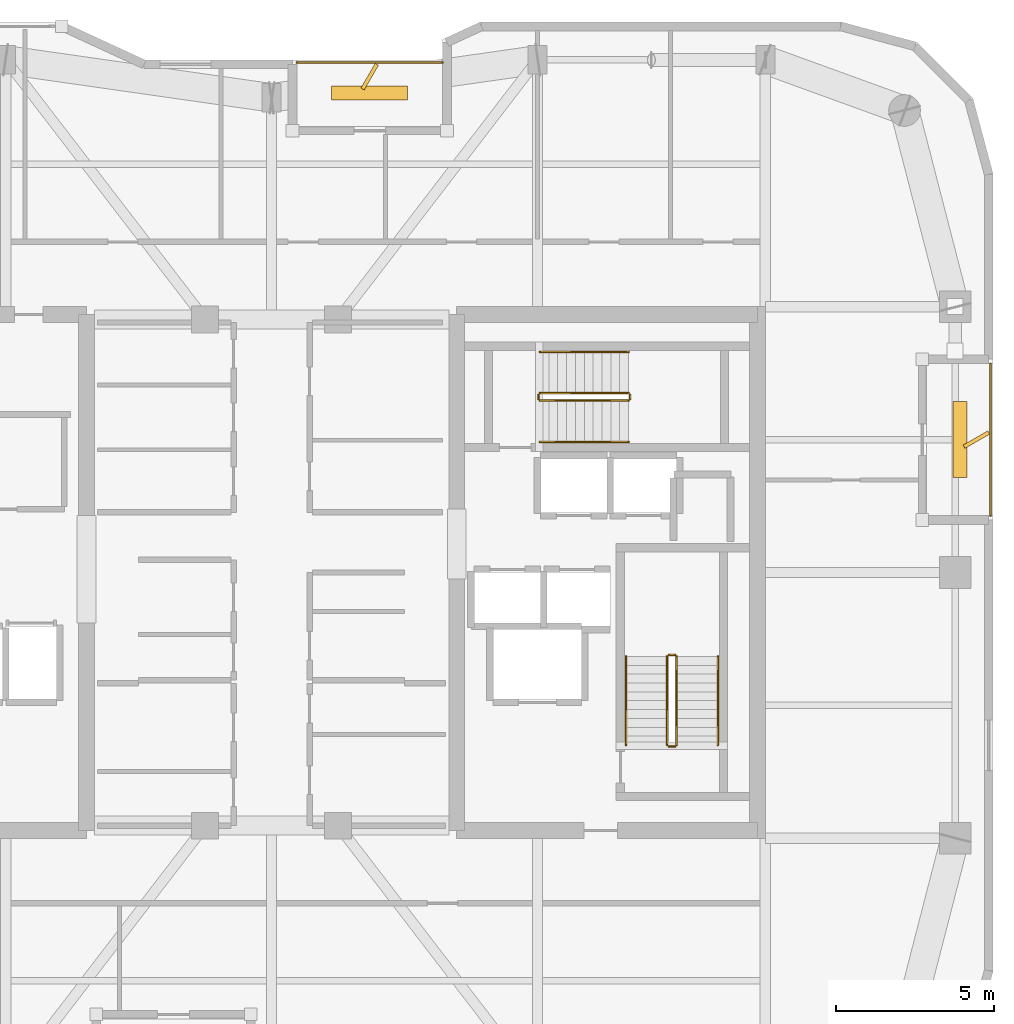
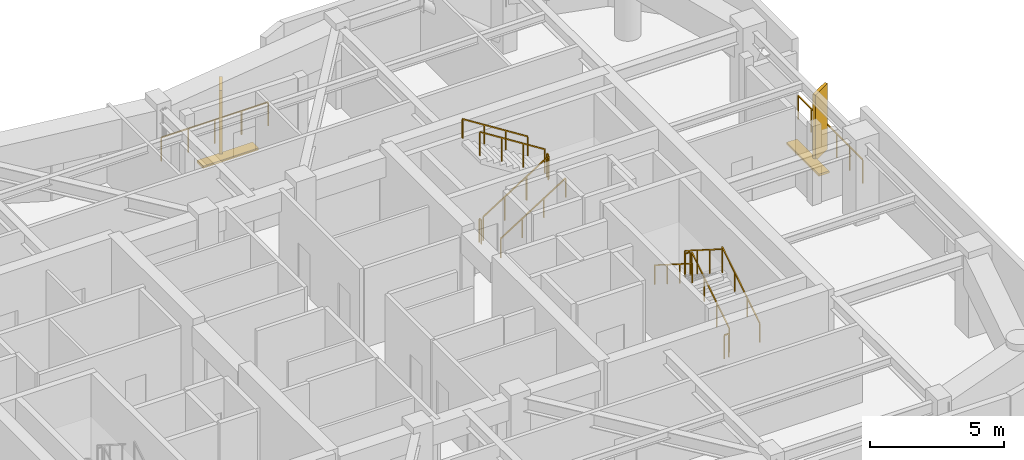
# One storey, part 15 of 15: 14 railings, 4 shading devices.
"""IFC4 building model written with IfcOpenShell, lengths in metres."""

from ifc_helpers import new_model, si_unit, direction, frame, origin, origin_2d, place, context, subcontext, project, spatial, rectangle, extrude, material, type_object, element, save


model = new_model("IFC4")

# Units and contexts
model_context = context("Model", 3, precision=1e-05, world=origin(), true_north=direction((0.0, 1.0)))
body_context = subcontext(model_context, "Body", "Model", "MODEL_VIEW")
ifc_project = project(units=[si_unit("LENGTHUNIT", "METRE"), si_unit("AREAUNIT", "SQUARE_METRE"), si_unit("VOLUMEUNIT", "CUBIC_METRE"), si_unit("PLANEANGLEUNIT", "RADIAN"), si_unit("MASSUNIT", "GRAM", prefix="KILO")], contexts=[model_context])

# Site, building, storey
site_placement = place(None, origin())
site = spatial("IfcSite", under=ifc_project, at=site_placement, CompositionType="ELEMENT")
building_placement = place(site_placement, origin())
building = spatial("IfcBuilding", under=site, at=building_placement, Name="Kiyonajd Concourse Tower", CompositionType="ELEMENT")
storey_placement = place(building_placement, frame((0.0, 0.0, 278.39990234375)))
storey = spatial("IfcBuildingStorey", under=building, at=storey_placement, Name="L70", CompositionType="ELEMENT", Elevation=278.39990234375)

# Railings
ifc_material_1 = material(Name="Thermally Broken Anodised Aluminium", Category="aluminium")
railing_type_1 = type_object("IfcRailingType", Name="RL-GRD-LOG", PredefinedType="GUARDRAIL", material=ifc_material_1)
railing_1_placement = place(storey_placement, frame((53.39990234375, 52.1201171875, 0.0)))
element("IfcRailing", 1, at=railing_1_placement, inside=storey, type_object=railing_type_1, Name="L70 Engawa Loggia Perimeter Guard LOG-N", PredefinedType="GUARDRAIL", context=body_context, shape_type="SweptSolid", body=[
    extrude(rectangle(XDim=0.048095703125, YDim=0.048095703125, at=origin_2d()), frame((0.0, 0.0, 1.076171875), z_axis=(-1.0, 0.0, 0.0), x_axis=(0.0, -1.0, 0.0)), (0.0, 0.0, 1.0), 4.599853515625),
    extrude(rectangle(XDim=0.0419921875, YDim=0.0419921875, at=origin_2d()), origin(), (0.0, 0.0, 1.0), 1.052001953125),
    extrude(rectangle(XDim=0.0419921875, YDim=0.0419921875, at=origin_2d()), frame((-1.14990234375, 0.0, 0.0)), (0.0, 0.0, 1.0), 1.052001953125),
    extrude(rectangle(XDim=0.0419921875, YDim=0.0419921875, at=origin_2d()), frame((-2.2998046875, 0.0, 0.0)), (0.0, 0.0, 1.0), 1.052001953125),
    extrude(rectangle(XDim=0.0419921875, YDim=0.0419921875, at=origin_2d()), frame((-3.449951171875, 0.0, 0.0)), (0.0, 0.0, 1.0), 1.052001953125),
    extrude(rectangle(XDim=0.0419921875, YDim=0.0419921875, at=origin_2d()), frame((-4.599853515625, 0.0, 0.0)), (0.0, 0.0, 1.0), 1.052001953125),
])
railing_2_placement = place(storey_placement, frame((70.719970703125, 37.800048828125, 0.0)))
element("IfcRailing", 2, at=railing_2_placement, inside=storey, type_object=railing_type_1, Name="L70 Engawa Loggia Perimeter Guard LOG-E", PredefinedType="GUARDRAIL", context=body_context, shape_type="SweptSolid", body=[
    extrude(rectangle(XDim=0.048095703125, YDim=0.048095703125, at=origin_2d()), frame((0.0, 0.0, 1.076171875), z_axis=(0.0, 1.0, 0.0), x_axis=(-1.0, 0.0, 0.0)), (0.0, 0.0, 1.0), 4.800048828125),
    extrude(rectangle(XDim=0.0419921875, YDim=0.0419921875, at=origin_2d()), origin(), (0.0, 0.0, 1.0), 1.052001953125),
    extrude(rectangle(XDim=0.0419921875, YDim=0.0419921875, at=origin_2d()), frame((0.0, 0.9599609375, 0.0)), (0.0, 0.0, 1.0), 1.052001953125),
    extrude(rectangle(XDim=0.0419921875, YDim=0.0419921875, at=origin_2d()), frame((0.0, 1.919921875, 0.0)), (0.0, 0.0, 1.0), 1.052001953125),
    extrude(rectangle(XDim=0.0419921875, YDim=0.0419921875, at=origin_2d()), frame((0.0, 2.880126953125, 0.0)), (0.0, 0.0, 1.0), 1.052001953125),
    extrude(rectangle(XDim=0.0419921875, YDim=0.0419921875, at=origin_2d()), frame((0.0, 3.840087890625, 0.0)), (0.0, 0.0, 1.0), 1.052001953125),
    extrude(rectangle(XDim=0.0419921875, YDim=0.0419921875, at=origin_2d()), frame((0.0, 4.800048828125, 0.0)), (0.0, 0.0, 1.0), 1.052001953125),
])
ifc_material_2 = material(Name="Steel ASTM A500 Grade C", Category="steel")
railing_type_2 = type_object("IfcRailingType", Name="RL-GRD-STR", PredefinedType="GUARDRAIL", material=ifc_material_2)
railing_3_placement = place(storey_placement, frame((60.800048828125, 30.550048828125, 0.177490234375)))
element("IfcRailing", 3, at=railing_3_placement, inside=storey, type_object=railing_type_2, Name="L70 ST2 stair guard 1", PredefinedType="GUARDRAIL", context=body_context, shape_type="SweptSolid", body=[
    extrude(rectangle(XDim=0.048095703125, YDim=0.048095703125, at=origin_2d()), frame((0.0, 0.0, 1.076171875), z_axis=(0.0, 0.844908973607, 0.534910110503), x_axis=(-1.0, 0.0, 0.0)), (0.0, 0.0, 1.0), 3.31396484375),
    extrude(rectangle(XDim=0.0419921875, YDim=0.0419921875, at=origin_2d()), origin(), (0.0, 0.0, 1.0), 1.052001953125),
    extrude(rectangle(XDim=0.0419921875, YDim=0.0419921875, at=origin_2d()), frame((0.0, 0.933349609375, 0.5908203125)), (0.0, 0.0, 1.0), 1.052001953125),
    extrude(rectangle(XDim=0.0419921875, YDim=0.0419921875, at=origin_2d()), frame((0.0, 1.86669921875, 1.181884765625)), (0.0, 0.0, 1.0), 1.052001953125),
    extrude(rectangle(XDim=0.0419921875, YDim=0.0419921875, at=origin_2d()), frame((0.0, 2.800048828125, 1.772705078125)), (0.0, 0.0, 1.0), 1.052001953125),
])
railing_4_placement = place(storey_placement, frame((60.75, 33.39990234375, 1.9501953125)))
element("IfcRailing", 4, at=railing_4_placement, inside=storey, type_object=railing_type_2, Name="L70 ST2 stair guard 2", PredefinedType="GUARDRAIL", context=body_context, shape_type="SweptSolid", body=[
    extrude(rectangle(XDim=0.048095703125, YDim=0.048095703125, at=origin_2d()), frame((0.0, 0.0, 1.076171875), z_axis=(-1.0, 0.0, 0.0), x_axis=(0.0, -1.0, 0.0)), (0.0, 0.0, 1.0), 0.199951171875),
    extrude(rectangle(XDim=0.0419921875, YDim=0.0419921875, at=origin_2d()), origin(), (0.0, 0.0, 1.0), 1.052001953125),
    extrude(rectangle(XDim=0.0419921875, YDim=0.0419921875, at=origin_2d()), frame((-0.199951171875, 0.0, 0.0)), (0.0, 0.0, 1.0), 1.052001953125),
])
railing_5_placement = place(storey_placement, frame((60.5, 33.35009765625, 2.12744140625)))
element("IfcRailing", 5, at=railing_5_placement, inside=storey, type_object=railing_type_2, Name="L70 ST2 stair guard 3", PredefinedType="GUARDRAIL", context=body_context, shape_type="SweptSolid", body=[
    extrude(rectangle(XDim=0.048095703125, YDim=0.048095703125, at=origin_2d()), frame((0.0, 0.0, 1.076171875), z_axis=(0.0, -0.844908973607, 0.534910110503), x_axis=(1.0, 0.0, 0.0)), (0.0, 0.0, 1.0), 3.31396484375),
    extrude(rectangle(XDim=0.0419921875, YDim=0.0419921875, at=origin_2d()), origin(), (0.0, 0.0, 1.0), 1.052001953125),
    extrude(rectangle(XDim=0.0419921875, YDim=0.0419921875, at=origin_2d()), frame((0.0, -0.933349609375, 0.5908203125)), (0.0, 0.0, 1.0), 1.052001953125),
    extrude(rectangle(XDim=0.0419921875, YDim=0.0419921875, at=origin_2d()), frame((0.0, -1.86669921875, 1.181884765625)), (0.0, 0.0, 1.0), 1.052001953125),
    extrude(rectangle(XDim=0.0419921875, YDim=0.0419921875, at=origin_2d()), frame((0.0, -2.800048828125, 1.772705078125)), (0.0, 0.0, 1.0), 1.052001953125),
])
railing_6_placement = place(storey_placement, frame((60.75, 30.5, 0.0)))
element("IfcRailing", 6, at=railing_6_placement, inside=storey, type_object=railing_type_2, Name="L70 ST2 stair guard 4", PredefinedType="GUARDRAIL", context=body_context, shape_type="SweptSolid", body=[
    extrude(rectangle(XDim=0.048095703125, YDim=0.048095703125, at=origin_2d()), frame((0.0, 0.0, 1.076171875), z_axis=(-1.0, 0.0, 0.0), x_axis=(0.0, -1.0, 0.0)), (0.0, 0.0, 1.0), 0.199951171875),
    extrude(rectangle(XDim=0.0419921875, YDim=0.0419921875, at=origin_2d()), origin(), (0.0, 0.0, 1.0), 1.052001953125),
    extrude(rectangle(XDim=0.0419921875, YDim=0.0419921875, at=origin_2d()), frame((-0.199951171875, 0.0, 0.0)), (0.0, 0.0, 1.0), 1.052001953125),
])
railing_7_placement = place(storey_placement, frame((56.47998046875, 41.429931640625, 0.177490234375)))
element("IfcRailing", 7, at=railing_7_placement, inside=storey, type_object=railing_type_2, Name="L70 ST3 stair guard 1", PredefinedType="GUARDRAIL", context=body_context, shape_type="SweptSolid", body=[
    extrude(rectangle(XDim=0.048095703125, YDim=0.048095703125, at=origin_2d()), frame((0.0, 0.0, 1.076171875), z_axis=(0.844908973607, 0.0, 0.534910110503), x_axis=(0.0, 1.0, 0.0)), (0.0, 0.0, 1.0), 3.31396484375),
    extrude(rectangle(XDim=0.0419921875, YDim=0.0419921875, at=origin_2d()), origin(), (0.0, 0.0, 1.0), 1.052001953125),
    extrude(rectangle(XDim=0.0419921875, YDim=0.0419921875, at=origin_2d()), frame((0.933349609375, 0.0, 0.5908203125)), (0.0, 0.0, 1.0), 1.052001953125),
    extrude(rectangle(XDim=0.0419921875, YDim=0.0419921875, at=origin_2d()), frame((1.86669921875, 0.0, 1.181884765625)), (0.0, 0.0, 1.0), 1.052001953125),
    extrude(rectangle(XDim=0.0419921875, YDim=0.0419921875, at=origin_2d()), frame((2.800048828125, 0.0, 1.772705078125)), (0.0, 0.0, 1.0), 1.052001953125),
])
railing_8_placement = place(storey_placement, frame((59.330078125, 41.47998046875, 1.9501953125)))
element("IfcRailing", 8, at=railing_8_placement, inside=storey, type_object=railing_type_2, Name="L70 ST3 stair guard 2", PredefinedType="GUARDRAIL", context=body_context, shape_type="SweptSolid", body=[
    extrude(rectangle(XDim=0.048095703125, YDim=0.048095703125, at=origin_2d()), frame((0.0, 0.0, 1.076171875), z_axis=(0.0, 1.0, 0.0), x_axis=(-1.0, 0.0, 0.0)), (0.0, 0.0, 1.0), 0.14013671875),
    extrude(rectangle(XDim=0.0419921875, YDim=0.0419921875, at=origin_2d()), origin(), (0.0, 0.0, 1.0), 1.052001953125),
    extrude(rectangle(XDim=0.0419921875, YDim=0.0419921875, at=origin_2d()), frame((0.0, 0.14013671875, 0.0)), (0.0, 0.0, 1.0), 1.052001953125),
])
railing_9_placement = place(storey_placement, frame((59.280029296875, 41.669921875, 2.12744140625)))
element("IfcRailing", 9, at=railing_9_placement, inside=storey, type_object=railing_type_2, Name="L70 ST3 stair guard 3", PredefinedType="GUARDRAIL", context=body_context, shape_type="SweptSolid", body=[
    extrude(rectangle(XDim=0.048095703125, YDim=0.048095703125, at=origin_2d()), frame((0.0, 0.0, 1.076171875), z_axis=(-0.844908973607, 0.0, 0.534910110503), x_axis=(0.0, -1.0, 0.0)), (0.0, 0.0, 1.0), 3.31396484375),
    extrude(rectangle(XDim=0.0419921875, YDim=0.0419921875, at=origin_2d()), origin(), (0.0, 0.0, 1.0), 1.052001953125),
    extrude(rectangle(XDim=0.0419921875, YDim=0.0419921875, at=origin_2d()), frame((-0.933349609375, 0.0, 0.5908203125)), (0.0, 0.0, 1.0), 1.052001953125),
    extrude(rectangle(XDim=0.0419921875, YDim=0.0419921875, at=origin_2d()), frame((-1.86669921875, 0.0, 1.181884765625)), (0.0, 0.0, 1.0), 1.052001953125),
    extrude(rectangle(XDim=0.0419921875, YDim=0.0419921875, at=origin_2d()), frame((-2.800048828125, 0.0, 1.772705078125)), (0.0, 0.0, 1.0), 1.052001953125),
])
railing_10_placement = place(storey_placement, frame((56.429931640625, 41.47998046875, 0.0)))
element("IfcRailing", 10, at=railing_10_placement, inside=storey, type_object=railing_type_2, Name="L70 ST3 stair guard 4", PredefinedType="GUARDRAIL", context=body_context, shape_type="SweptSolid", body=[
    extrude(rectangle(XDim=0.048095703125, YDim=0.048095703125, at=origin_2d()), frame((0.0, 0.0, 1.076171875), z_axis=(0.0, 1.0, 0.0), x_axis=(-1.0, 0.0, 0.0)), (0.0, 0.0, 1.0), 0.14013671875),
    extrude(rectangle(XDim=0.0419921875, YDim=0.0419921875, at=origin_2d()), origin(), (0.0, 0.0, 1.0), 1.052001953125),
    extrude(rectangle(XDim=0.0419921875, YDim=0.0419921875, at=origin_2d()), frame((0.0, 0.14013671875, 0.0)), (0.0, 0.0, 1.0), 1.052001953125),
])
ifc_material_3 = material(Name="Brushed Stainless Steel Cab Assembly", Category="steel")
railing_type_3 = type_object("IfcRailingType", Name="RL-HND-900", PredefinedType="HANDRAIL", material=ifc_material_3)
railing_11_placement = place(storey_placement, frame((62.10009765625, 30.550048828125, 0.177490234375)))
element("IfcRailing", 11, at=railing_11_placement, inside=storey, type_object=railing_type_3, Name="L70 ST2 stair handrail 1", PredefinedType="HANDRAIL", context=body_context, shape_type="SweptSolid", body=[
    extrude(rectangle(XDim=0.048095703125, YDim=0.048095703125, at=origin_2d()), frame((0.0, 0.0, 0.8759765625), z_axis=(0.0, 0.844908973607, 0.534910110503), x_axis=(-1.0, 0.0, 0.0)), (0.0, 0.0, 1.0), 3.31396484375),
    extrude(rectangle(XDim=0.0419921875, YDim=0.0419921875, at=origin_2d()), origin(), (0.0, 0.0, 1.0), 0.851806640625),
    extrude(rectangle(XDim=0.0419921875, YDim=0.0419921875, at=origin_2d()), frame((0.0, 0.933349609375, 0.5908203125)), (0.0, 0.0, 1.0), 0.851806640625),
    extrude(rectangle(XDim=0.0419921875, YDim=0.0419921875, at=origin_2d()), frame((0.0, 1.86669921875, 1.181884765625)), (0.0, 0.0, 1.0), 0.851806640625),
    extrude(rectangle(XDim=0.0419921875, YDim=0.0419921875, at=origin_2d()), frame((0.0, 2.800048828125, 1.772705078125)), (0.0, 0.0, 1.0), 0.851806640625),
])
railing_12_placement = place(storey_placement, frame((59.199951171875, 33.35009765625, 2.12744140625)))
element("IfcRailing", 12, at=railing_12_placement, inside=storey, type_object=railing_type_3, Name="L70 ST2 stair handrail 2", PredefinedType="HANDRAIL", context=body_context, shape_type="SweptSolid", body=[
    extrude(rectangle(XDim=0.048095703125, YDim=0.048095703125, at=origin_2d()), frame((0.0, 0.0, 0.8759765625), z_axis=(0.0, -0.844908973607, 0.534910110503), x_axis=(1.0, 0.0, 0.0)), (0.0, 0.0, 1.0), 3.31396484375),
    extrude(rectangle(XDim=0.0419921875, YDim=0.0419921875, at=origin_2d()), origin(), (0.0, 0.0, 1.0), 0.851806640625),
    extrude(rectangle(XDim=0.0419921875, YDim=0.0419921875, at=origin_2d()), frame((0.0, -0.933349609375, 0.5908203125)), (0.0, 0.0, 1.0), 0.851806640625),
    extrude(rectangle(XDim=0.0419921875, YDim=0.0419921875, at=origin_2d()), frame((0.0, -1.86669921875, 1.181884765625)), (0.0, 0.0, 1.0), 0.851806640625),
    extrude(rectangle(XDim=0.0419921875, YDim=0.0419921875, at=origin_2d()), frame((0.0, -2.800048828125, 1.772705078125)), (0.0, 0.0, 1.0), 0.851806640625),
])
railing_13_placement = place(storey_placement, frame((56.47998046875, 40.1298828125, 0.177490234375)))
element("IfcRailing", 13, at=railing_13_placement, inside=storey, type_object=railing_type_3, Name="L70 ST3 stair handrail 1", PredefinedType="HANDRAIL", context=body_context, shape_type="SweptSolid", body=[
    extrude(rectangle(XDim=0.048095703125, YDim=0.048095703125, at=origin_2d()), frame((0.0, 0.0, 0.8759765625), z_axis=(0.844908973607, 0.0, 0.534910110503), x_axis=(0.0, 1.0, 0.0)), (0.0, 0.0, 1.0), 3.31396484375),
    extrude(rectangle(XDim=0.0419921875, YDim=0.0419921875, at=origin_2d()), origin(), (0.0, 0.0, 1.0), 0.851806640625),
    extrude(rectangle(XDim=0.0419921875, YDim=0.0419921875, at=origin_2d()), frame((0.933349609375, 0.0, 0.5908203125)), (0.0, 0.0, 1.0), 0.851806640625),
    extrude(rectangle(XDim=0.0419921875, YDim=0.0419921875, at=origin_2d()), frame((1.86669921875, 0.0, 1.181884765625)), (0.0, 0.0, 1.0), 0.851806640625),
    extrude(rectangle(XDim=0.0419921875, YDim=0.0419921875, at=origin_2d()), frame((2.800048828125, 0.0, 1.772705078125)), (0.0, 0.0, 1.0), 0.851806640625),
])
railing_14_placement = place(storey_placement, frame((59.280029296875, 42.969970703125, 2.12744140625)))
element("IfcRailing", 14, at=railing_14_placement, inside=storey, type_object=railing_type_3, Name="L70 ST3 stair handrail 2", PredefinedType="HANDRAIL", context=body_context, shape_type="SweptSolid", body=[
    extrude(rectangle(XDim=0.048095703125, YDim=0.048095703125, at=origin_2d()), frame((0.0, 0.0, 0.8759765625), z_axis=(-0.844908973607, 0.0, 0.534910110503), x_axis=(0.0, -1.0, 0.0)), (0.0, 0.0, 1.0), 3.31396484375),
    extrude(rectangle(XDim=0.0419921875, YDim=0.0419921875, at=origin_2d()), origin(), (0.0, 0.0, 1.0), 0.851806640625),
    extrude(rectangle(XDim=0.0419921875, YDim=0.0419921875, at=origin_2d()), frame((-0.933349609375, 0.0, 0.5908203125)), (0.0, 0.0, 1.0), 0.851806640625),
    extrude(rectangle(XDim=0.0419921875, YDim=0.0419921875, at=origin_2d()), frame((-1.86669921875, 0.0, 1.181884765625)), (0.0, 0.0, 1.0), 0.851806640625),
    extrude(rectangle(XDim=0.0419921875, YDim=0.0419921875, at=origin_2d()), frame((-2.800048828125, 0.0, 1.772705078125)), (0.0, 0.0, 1.0), 0.851806640625),
])

# Shading devices
ifc_material_4 = material(Name="Precast concrete C50/60", Category="concrete")
shading_device_type_1 = type_object("IfcShadingDeviceType", Name="SH-FIN-900", PredefinedType="USERDEFINED", material=ifc_material_4)
for number, where, z_axis, x_axis, name in (
    (15, (51.10009765625, 51.669921875, 0.0), (0.0, 0.0, 1.0), (0.5, 0.866025403784, 0.0), "L70 Angled Koshi Solar Fin LOG-N"),
    (16, (70.27001953125, 40.199951171875, 0.0), (0.0, 0.0, 1.0), (0.866025403784, 0.5, 0.0), "L70 Angled Koshi Solar Fin LOG-E"),
):
    element("IfcShadingDevice", number, at=place(storey_placement, frame(where, z_axis=z_axis, x_axis=x_axis)), inside=storey, type_object=shading_device_type_1, Name=name, ObjectType="FIN", PredefinedType="USERDEFINED", context=body_context, shape_type="SweptSolid", body=[
        extrude(rectangle(XDim=0.89990234375, YDim=0.1201171875, at=origin_2d()), origin(), (0.0, 0.0, 1.0), 3.0),
    ])
shading_device_type_2 = type_object("IfcShadingDeviceType", Name="SH-LVR-600", PredefinedType="JALOUSIE", material=ifc_material_1)
for number, where, z_axis, x_axis, name in (
    (17, (51.10009765625, 51.14990234375, 0.0), (0.0, 0.0, 1.0), (1.0, 0.0, 0.0), "L70 Loggia Threshold Louver LOG-N"),
    (18, (69.75, 40.199951171875, 0.0), (0.0, 0.0, 1.0), (0.0, 1.0, 0.0), "L70 Loggia Threshold Louver LOG-E"),
):
    element("IfcShadingDevice", number, at=place(storey_placement, frame(where, z_axis=z_axis, x_axis=x_axis)), inside=storey, type_object=shading_device_type_2, Name=name, PredefinedType="JALOUSIE", context=body_context, shape_type="SweptSolid", body=[
        extrude(rectangle(XDim=2.39990234375, YDim=0.449951171875, at=origin_2d()), origin(), (0.0, 0.0, 1.0), 0.10009765625),
    ])

save(model, "model.ifc")
